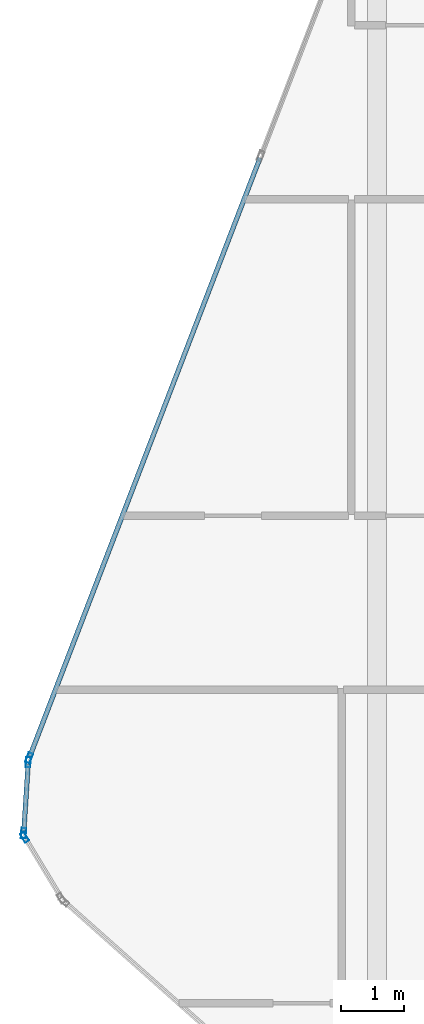
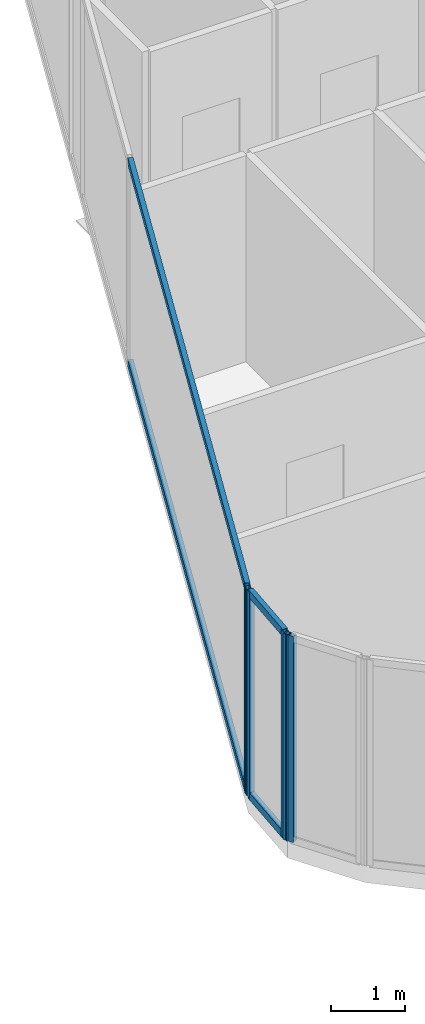
# One storey, part 8 of 27: 8 members, 3 elements without a shape of their own.
"""IFC4 building model written with IfcOpenShell, lengths in metres."""

from ifc_helpers import new_model, si_unit, direction, frame, origin, origin_2d, place, context, subcontext, project, spatial, hollow_rectangle, extrude, material, layer, layer_set, material_profile, profile_set, type_object, element, aggregate, save


model = new_model("IFC4")

# Units and contexts
model_context = context("Model", 3, precision=1e-05, world=origin(), true_north=direction((0.0, 1.0)))
body_context = subcontext(model_context, "Body", "Model", "MODEL_VIEW")
ifc_project = project(units=[si_unit("LENGTHUNIT", "METRE"), si_unit("AREAUNIT", "SQUARE_METRE"), si_unit("VOLUMEUNIT", "CUBIC_METRE"), si_unit("PLANEANGLEUNIT", "RADIAN"), si_unit("MASSUNIT", "GRAM", prefix="KILO")], contexts=[model_context])

# Site, building, storey
site_placement = place(None, origin())
site = spatial("IfcSite", under=ifc_project, at=site_placement, CompositionType="ELEMENT")
building_placement = place(site_placement, origin())
building = spatial("IfcBuilding", under=site, at=building_placement, Name="Keshet Zoharim Tower", CompositionType="ELEMENT")
storey_placement = place(building_placement, frame((0.0, 0.0, 291.699951171875)))
storey = spatial("IfcBuildingStorey", under=building, at=storey_placement, Name="L73", CompositionType="ELEMENT", Elevation=291.699951171875)

# Curtain wall, member
ifc_material = material(Name="Aluminium 6063-T6", Category="aluminium")
ifc_layer = layer(ifc_material, 0.260009765625)
ifc_layer_set = layer_set([ifc_layer], Name="Aluminium 6063-T6")
curtain_wall_type = type_object("IfcCurtainWallType", Name="CW-SYS-06", PredefinedType="NOTDEFINED", material=ifc_layer_set)
curtain_wall_1_placement = place(storey_placement, origin())
curtain_wall_1 = element("IfcCurtainWall", 1, at=curtain_wall_1_placement, inside=storey, type_object=curtain_wall_type, Name="L73 Unitised Curtain Wall 01", PredefinedType="NOTDEFINED")
ifc_material_profile_1 = material_profile(ifc_material, hollow_rectangle(XDim=0.074951171875, YDim=0.159912109375, WallThickness=0.00390625, at=origin_2d()), Name="MUL-75x160")
ifc_profile_set_1 = profile_set([ifc_material_profile_1], Name="Aluminium 6063-T6")
member_type_1 = type_object("IfcMemberType", Name="CWM-M15", PredefinedType="MULLION", material=ifc_profile_set_1)
member_1_placement = place(storey_placement, frame((3.43798828125, 22.77197265625, 0.0), z_axis=(0.0, 0.0, 1.0), x_axis=(-0.856826433805, -0.515604947933, 0.0)))
member_1 = element("IfcMember", 2, at=member_1_placement, type_object=member_type_1, Name="CW-06 mullion 2", PredefinedType="MULLION", context=body_context, shape_type="SweptSolid", body=[
    extrude(hollow_rectangle(XDim=0.074951171875, YDim=0.159912109375, WallThickness=0.00390625, at=origin_2d()), origin(), (0.0, 0.0, 1.0), 3.39013671875),
])
aggregate(curtain_wall_1, [member_1])

# Curtain wall, members
curtain_wall_2_placement = place(storey_placement, origin())
curtain_wall_2 = element("IfcCurtainWall", 3, at=curtain_wall_2_placement, inside=storey, type_object=curtain_wall_type, Name="L73 Unitised Curtain Wall 02", PredefinedType="NOTDEFINED")
member_2_placement = place(storey_placement, frame((3.42236328125, 22.8369140625, 0.0), z_axis=(0.0, 0.0, 1.0), x_axis=(-0.997916617186, 0.064516859374, 0.0)))
member_2 = element("IfcMember", 4, at=member_2_placement, type_object=member_type_1, Name="CW-06 mullion 1", PredefinedType="MULLION", context=body_context, shape_type="SweptSolid", body=[
    extrude(hollow_rectangle(XDim=0.074951171875, YDim=0.159912109375, WallThickness=0.00390625, at=origin_2d()), origin(), (0.0, 0.0, 1.0), 3.39013671875),
])
member_3_placement = place(storey_placement, frame((3.49462890625, 23.9580078125, 0.0), z_axis=(0.0, 0.0, 1.0), x_axis=(-0.997916617186, 0.064516859374, 0.0)))
member_3 = element("IfcMember", 5, at=member_3_placement, type_object=member_type_1, Name="CW-06 mullion 2", PredefinedType="MULLION", context=body_context, shape_type="SweptSolid", body=[
    extrude(hollow_rectangle(XDim=0.074951171875, YDim=0.159912109375, WallThickness=0.00390625, at=origin_2d()), origin(), (0.0, 0.0, 1.0), 3.39013671875),
])

# Curtain wall, member
curtain_wall_3_placement = place(storey_placement, origin())
curtain_wall_3 = element("IfcCurtainWall", 6, at=curtain_wall_3_placement, inside=storey, type_object=curtain_wall_type, Name="L73 Unitised Curtain Wall 03", PredefinedType="NOTDEFINED")
member_4_placement = place(storey_placement, frame((3.509521484375, 24.025634765625, 0.0), z_axis=(0.0, 0.0, 1.0), x_axis=(-0.933341404361, 0.358990003907, 0.0)))
member_4 = element("IfcMember", 7, at=member_4_placement, type_object=member_type_1, Name="CW-06 mullion 1", PredefinedType="MULLION", context=body_context, shape_type="SweptSolid", body=[
    extrude(hollow_rectangle(XDim=0.074951171875, YDim=0.159912109375, WallThickness=0.00390625, at=origin_2d()), origin(), (0.0, 0.0, 1.0), 3.39013671875),
])

# Member
ifc_material_profile_2 = material_profile(ifc_material, hollow_rectangle(XDim=0.074951171875, YDim=0.1201171875, WallThickness=0.00390625, at=origin_2d()), Name="TRN-75x120")
ifc_profile_set_2 = profile_set([ifc_material_profile_2], Name="Aluminium 6063-T6")
member_type_2 = type_object("IfcMemberType", Name="CWT-T12", PredefinedType="USERDEFINED", material=ifc_profile_set_2)
member_5_placement = place(storey_placement, frame((3.424560546875, 22.871826171875, 0.03515625), z_axis=(0.064426947155, 0.997922426083, 0.0), x_axis=(-0.997922426083, 0.064426947155, 0.0)))
member_5 = element("IfcMember", 8, at=member_5_placement, type_object=member_type_2, Name="CW-06 transom 1.1", ObjectType="TRANSOM", PredefinedType="USERDEFINED", context=body_context, shape_type="SweptSolid", body=[
    extrude(hollow_rectangle(XDim=0.074951171875, YDim=0.1201171875, WallThickness=0.00390625, at=origin_2d()), origin(), (0.0, 0.0, 1.0), 1.053466796875),
])

member_6_placement = place(storey_placement, frame((3.424560546875, 22.871826171875, 3.35498046875), z_axis=(0.064426947155, 0.997922426083, 0.0), x_axis=(-0.997922426083, 0.064426947155, 0.0)))
member_6 = element("IfcMember", 9, at=member_6_placement, type_object=member_type_2, Name="CW-06 transom 1.2", ObjectType="TRANSOM", PredefinedType="USERDEFINED", context=body_context, shape_type="SweptSolid", body=[
    extrude(hollow_rectangle(XDim=0.074951171875, YDim=0.1201171875, WallThickness=0.00390625, at=origin_2d()), origin(), (0.0, 0.0, 1.0), 1.053466796875),
])

aggregate(curtain_wall_2, [member_2, member_3, member_5, member_6])

member_7_placement = place(storey_placement, frame((3.522216796875, 24.058349609375, 0.03515625), z_axis=(0.358993631387, 0.93334000912, 0.0), x_axis=(-0.93334000912, 0.358993631387, 0.0)))
member_7 = element("IfcMember", 10, at=member_7_placement, type_object=member_type_2, Name="CW-06 transom 1.1", ObjectType="TRANSOM", PredefinedType="USERDEFINED", context=body_context, shape_type="SweptSolid", body=[
    extrude(hollow_rectangle(XDim=0.074951171875, YDim=0.1201171875, WallThickness=0.00390625, at=origin_2d()), origin(), (0.0, 0.0, 1.0), 10.1181640625),
])

member_8_placement = place(storey_placement, frame((3.522216796875, 24.058349609375, 3.35498046875), z_axis=(0.358993631387, 0.93334000912, 0.0), x_axis=(-0.93334000912, 0.358993631387, 0.0)))
member_8 = element("IfcMember", 11, at=member_8_placement, type_object=member_type_2, Name="CW-06 transom 1.2", ObjectType="TRANSOM", PredefinedType="USERDEFINED", context=body_context, shape_type="SweptSolid", body=[
    extrude(hollow_rectangle(XDim=0.074951171875, YDim=0.1201171875, WallThickness=0.00390625, at=origin_2d()), origin(), (0.0, 0.0, 1.0), 10.1181640625),
])

aggregate(curtain_wall_3, [member_4, member_7, member_8])

save(model, "model.ifc")
